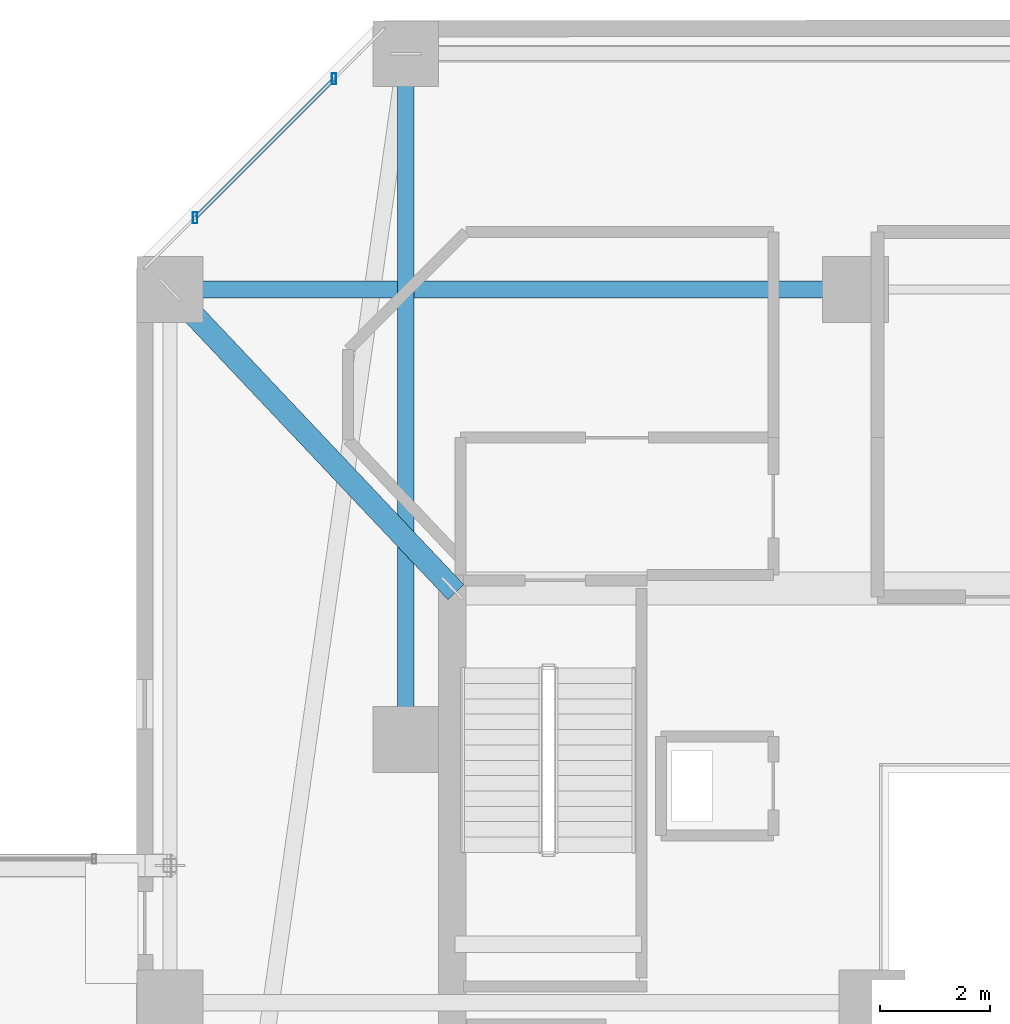
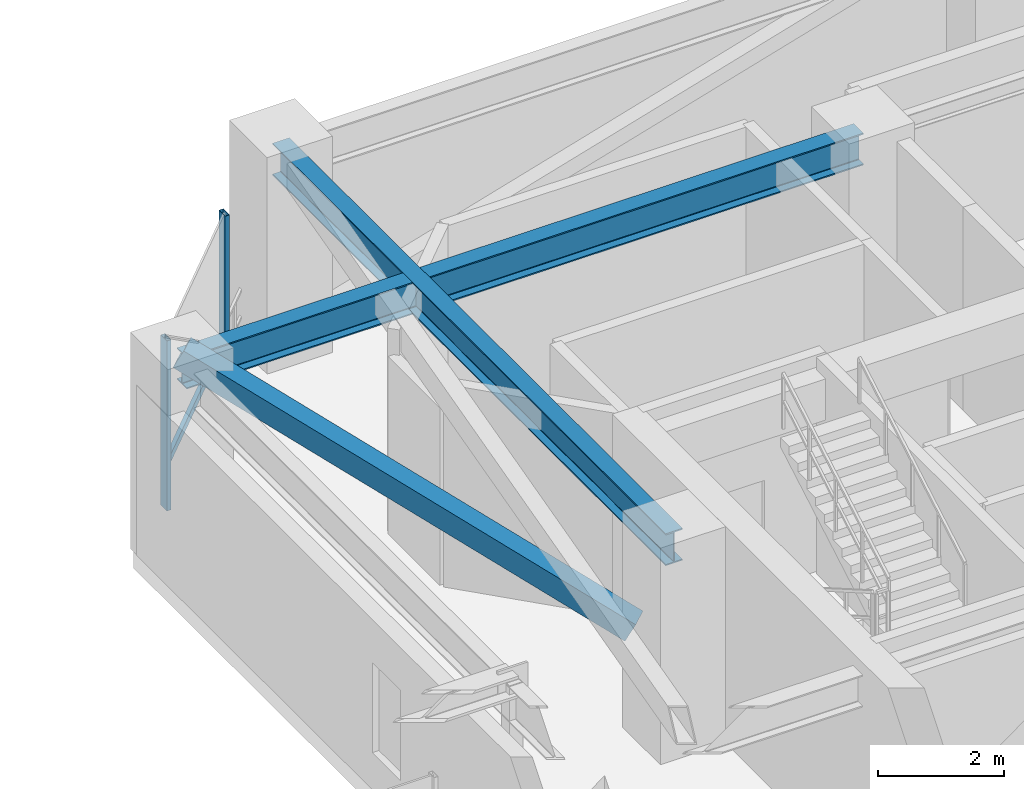
# One storey, part 25 of 45: 4 members, 2 beams, 1 element without a shape of its own.
"""IFC4 building model written with IfcOpenShell, lengths in metres."""

from ifc_helpers import new_model, si_unit, direction, frame, origin, origin_2d, place, context, subcontext, project, spatial, hollow_rectangle, i_section, extrude, material, material_profile, profile_set, type_object, element, aggregate, save


model = new_model("IFC4")

# Units and contexts
model_context = context("Model", 3, precision=1e-05, world=origin(), true_north=direction((0.0, 1.0)))
body_context = subcontext(model_context, "Body", "Model", "MODEL_VIEW")
ifc_project = project(units=[si_unit("LENGTHUNIT", "METRE"), si_unit("AREAUNIT", "SQUARE_METRE"), si_unit("VOLUMEUNIT", "CUBIC_METRE"), si_unit("PLANEANGLEUNIT", "RADIAN"), si_unit("MASSUNIT", "GRAM", prefix="KILO")], contexts=[model_context])

# Site, building, storey
site_placement = place(None, origin())
site = spatial("IfcSite", under=ifc_project, at=site_placement, CompositionType="ELEMENT")
building_placement = place(site_placement, origin())
building = spatial("IfcBuilding", under=site, at=building_placement, Name="Thornwick Lancets Civic Towers", CompositionType="ELEMENT")
storey_placement = place(building_placement, frame((0.0, 0.0, 141.300048828125)))
storey = spatial("IfcBuildingStorey", under=building, at=storey_placement, Name="L37", CompositionType="ELEMENT", Elevation=141.300048828125)

# Beams
ifc_material_1 = material(Name="Steel S355JR", Category="steel")
ifc_material_profile_1 = material_profile(ifc_material_1, i_section(OverallWidth=0.30712890625, OverallDepth=0.6201171875, WebThickness=0.01416015625, FlangeThickness=0.023681640625, FilletRadius=0.0166015625, at=origin_2d()), Name="UKB 610x305x179")
ifc_profile_set_1 = profile_set([ifc_material_profile_1], Name="Steel S355JR")
beam_type = type_object("IfcBeamType", Name="BM_GIRD_610_179", PredefinedType="BEAM", material=ifc_profile_set_1)
beam_1_placement = place(storey_placement, frame((75.5, 31.800048828125, 3.64990234375), z_axis=(0.0, 1.0, 0.0), x_axis=(-1.0, 0.0, 0.0)))
element("IfcBeam", 1, at=beam_1_placement, inside=storey, type_object=beam_type, Name="BM-RADIN-L37-B06", PredefinedType="BEAM", context=body_context, shape_type="SweptSolid", body=[
    extrude(i_section(OverallWidth=0.30712890625, OverallDepth=0.6201171875, WebThickness=0.01416015625, FlangeThickness=0.023681640625, FilletRadius=0.0166015625, at=origin_2d()), origin(), (0.0, 0.0, 1.0), 12.5),
])
beam_2_placement = place(storey_placement, frame((83.6201171875, 40.0, 3.64990234375), z_axis=(-1.0, 0.0, 0.0), x_axis=(0.0, -1.0, 0.0)))
element("IfcBeam", 2, at=beam_2_placement, inside=storey, type_object=beam_type, Name="BM-RADIN-L37-B09", PredefinedType="BEAM", context=body_context, shape_type="SweptSolid", body=[
    extrude(i_section(OverallWidth=0.30712890625, OverallDepth=0.6201171875, WebThickness=0.01416015625, FlangeThickness=0.023681640625, FilletRadius=0.0166015625, at=origin_2d()), origin(), (0.0, 0.0, 1.0), 12.420166015625),
])

# Curtain wall, members
ifc_material_2 = material(Name="Mid-zone chamfered-corner unitised glass curtain wall", Category="glass")
curtain_wall_type = type_object("IfcCurtainWallType", Name="CW_SYS_04", PredefinedType="NOTDEFINED", material=ifc_material_2)
curtain_wall_placement = place(storey_placement, origin())
curtain_wall = element("IfcCurtainWall", 3, at=curtain_wall_placement, inside=storey, type_object=curtain_wall_type, Name="L37 Curtain Wall CW-L37-B-E5", PredefinedType="NOTDEFINED")
ifc_material_3 = material(Name="Thermally broken bronze aluminium S355", Category="steel")
ifc_material_profile_2 = material_profile(ifc_material_3, hollow_rectangle(XDim=0.080078125, YDim=0.199951171875, WallThickness=0.006103515625, at=origin_2d()), Name="RHS 200x80x6")
ifc_profile_set_2 = profile_set([ifc_material_profile_2], Name="Thermally broken bronze aluminium S355")
member_type_1 = type_object("IfcMemberType", Name="CW_MUL_200", PredefinedType="MULLION", material=ifc_profile_set_2)
member_1_placement = place(storey_placement, frame((74.1923828125, 43.839599609375, 0.0), z_axis=(0.0, 0.0, 1.0), x_axis=(1.0, 0.0, 0.0)))
member_1 = element("IfcMember", 4, at=member_1_placement, type_object=member_type_1, Name="CW-L37-B-E5 Mullion 0", PredefinedType="MULLION", context=body_context, shape_type="SweptSolid", body=[
    extrude(hollow_rectangle(XDim=0.080078125, YDim=0.199951171875, WallThickness=0.006103515625, at=origin_2d()), origin(), (0.0, 0.0, 1.0), 3.300048828125),
])
member_2_placement = place(storey_placement, frame((71.660400390625, 41.3076171875, 0.0), z_axis=(0.0, 0.0, 1.0), x_axis=(1.0, 0.0, 0.0)))
member_2 = element("IfcMember", 5, at=member_2_placement, type_object=member_type_1, Name="CW-L37-B-E5 Mullion 1", PredefinedType="MULLION", context=body_context, shape_type="SweptSolid", body=[
    extrude(hollow_rectangle(XDim=0.080078125, YDim=0.199951171875, WallThickness=0.006103515625, at=origin_2d()), origin(), (0.0, 0.0, 1.0), 3.300048828125),
])
ifc_material_profile_3 = material_profile(ifc_material_3, hollow_rectangle(XDim=0.074951171875, YDim=0.14990234375, WallThickness=0.0048828125, at=origin_2d()), Name="RHS 150x75x5")
ifc_profile_set_3 = profile_set([ifc_material_profile_3], Name="Thermally broken bronze aluminium S355")
member_type_2 = type_object("IfcMemberType", Name="CW_TRN_150", PredefinedType="USERDEFINED", material=ifc_profile_set_3)
member_3_placement = place(storey_placement, frame((74.178466796875, 43.82568359375, 0.849853515625), z_axis=(-0.707106781187, -0.707106781187, 0.0), x_axis=(0.707106781187, -0.707106781187, 0.0)))
member_3 = element("IfcMember", 6, at=member_3_placement, type_object=member_type_2, Name="CW-L37-B-E5 Transom 0", ObjectType="TRANSOM", PredefinedType="USERDEFINED", context=body_context, shape_type="SweptSolid", body=[
    extrude(hollow_rectangle(XDim=0.074951171875, YDim=0.14990234375, WallThickness=0.0048828125, at=origin_2d()), origin(), (0.0, 0.0, 1.0), 3.54150390625),
])
aggregate(curtain_wall, [member_1, member_2, member_3])

# Member
ifc_material_4 = material(Name="Steel S460M", Category="steel")
ifc_material_profile_4 = material_profile(ifc_material_4, hollow_rectangle(XDim=0.39990234375, YDim=0.39990234375, WallThickness=0.02001953125, at=origin_2d()), Name="SHS 400x400x20")
ifc_profile_set_4 = profile_set([ifc_material_profile_4], Name="Steel S460M")
member_type_3 = type_object("IfcMemberType", Name="MEM_OUTRIG_SHS400", PredefinedType="BRACE", material=ifc_profile_set_4)
member_4_placement = place(storey_placement, frame((76.35009765625, 34.550048828125, 0.14990234375), z_axis=(-0.612321218604, 0.6479661798, 0.452992886349), x_axis=(-0.726815378038, -0.686832880872, 0.0)))
element("IfcMember", 7, at=member_4_placement, inside=storey, type_object=member_type_3, Name="L37 Outrigger Brace B-4", PredefinedType="BRACE", context=body_context, shape_type="SweptSolid", body=[
    extrude(hollow_rectangle(XDim=0.39990234375, YDim=0.39990234375, WallThickness=0.02001953125, at=origin_2d()), origin(), (0.0, 0.0, 1.0), 8.410888671875),
])

save(model, "model.ifc")
